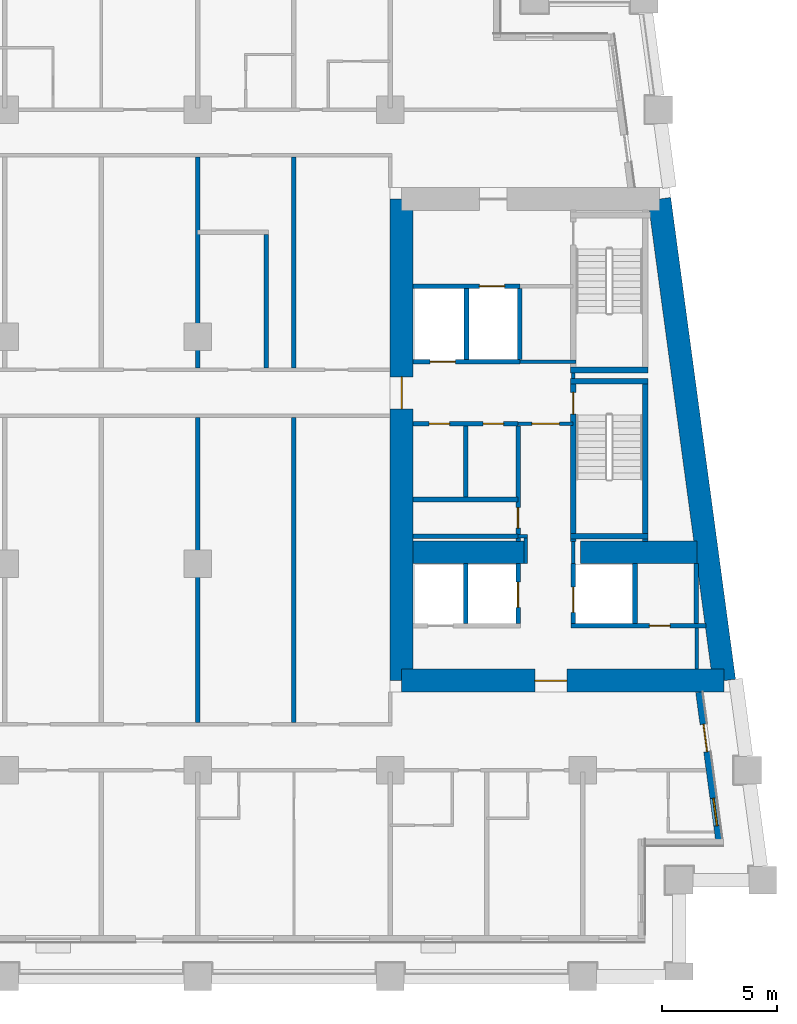
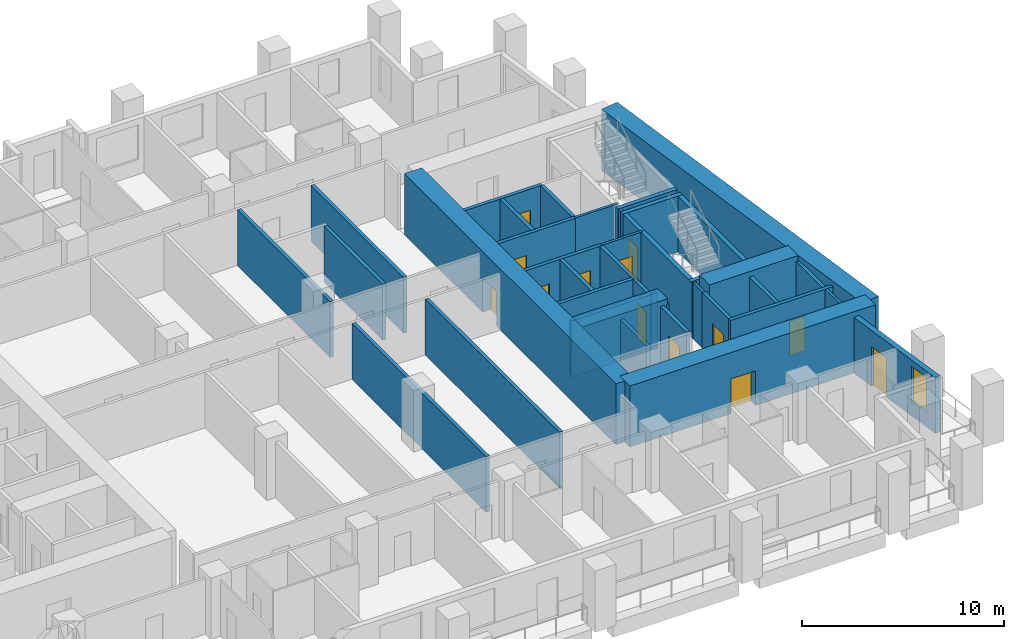
# One storey, part 5 of 13: 38 walls, 13 doors, 1 window, 14 openings.
"""IFC4 building model written with IfcOpenShell, lengths in metres."""

from ifc_helpers import new_model, si_unit, direction, frame, frame_2d, origin, place, context, subcontext, project, spatial, rectangle, extrude, material, layer, layer_set, type_object, element, fill, save


model = new_model("IFC4")

# Units and contexts
model_context = context("Model", 3, precision=1e-05, world=origin(), true_north=direction((0.0, 1.0)))
body_context = subcontext(model_context, "Body", "Model", "MODEL_VIEW")
ifc_project = project(units=[si_unit("LENGTHUNIT", "METRE"), si_unit("AREAUNIT", "SQUARE_METRE"), si_unit("VOLUMEUNIT", "CUBIC_METRE"), si_unit("PLANEANGLEUNIT", "RADIAN"), si_unit("MASSUNIT", "GRAM", prefix="KILO")], contexts=[model_context])

# Site, building, storey
site_placement = place(None, origin())
site = spatial("IfcSite", under=ifc_project, at=site_placement, CompositionType="ELEMENT")
building_placement = place(site_placement, origin())
building = spatial("IfcBuilding", under=site, at=building_placement, Name="Candeia Pilgrim Tower and Theatre", CompositionType="ELEMENT")
storey_placement = place(building_placement, frame((0.0, 0.0, 113.199951171875)))
storey = spatial("IfcBuildingStorey", under=building, at=storey_placement, Name="L26", CompositionType="ELEMENT", Elevation=113.199951171875)

# Wall
ifc_material_1 = material(Name="Concrete C70/85", Category="concrete")
ifc_layer_1 = layer(ifc_material_1, 1.0)
ifc_layer_set_1 = layer_set([ifc_layer_1], Name="Core wall 1000 C70/85")
wall_type_1 = type_object("IfcWallType", Name="Core wall 1000 C70/85", PredefinedType="SHEAR", material=ifc_layer_set_1)
wall_1_placement = place(storey_placement, frame((137.73193359375, 131.89990234375, 0.0), z_axis=(0.0, 0.0, 1.0), x_axis=(0.133411141623, -0.991060778808, 0.0)))
element("IfcWall", 1, at=wall_1_placement, inside=storey, type_object=wall_type_1, Name="Core wall E2", PredefinedType="SHEAR", context=body_context, shape_type="SweptSolid", body=[
    extrude(rectangle(XDim=21.189453125, YDim=1.0, at=frame_2d((10.5947265625, 0.0))), origin(), (0.0, 0.0, 1.0), 3.699951171875),
])

# Wall, opening, door
wall_2_placement = place(storey_placement, frame((140.558837890625, 110.89990234375, 0.0), z_axis=(0.0, 0.0, 1.0), x_axis=(-1.0, 0.0, 0.0)))
wall_2 = element("IfcWall", 2, at=wall_2_placement, inside=storey, type_object=wall_type_1, Name="Core wall E3", PredefinedType="SHEAR", context=body_context, shape_type="SweptSolid", body=[
    extrude(rectangle(XDim=14.058837890625, YDim=1.0, at=frame_2d((7.029296875, 0.0))), origin(), (0.0, 0.0, 1.0), 3.699951171875),
])
opening_1_placement = place(wall_2_placement, frame((6.857666015625, 0.0, 0.0)))
opening_1 = element("IfcOpeningElement", 3, at=opening_1_placement, cuts=wall_2, Name="Opening L26-D062", PredefinedType="OPENING", context=body_context, shape_type="SweptSolid", body=[
    extrude(rectangle(XDim=1.39990234375, YDim=2.10009765625, at=frame_2d((0.699951171875, 1.050048828125))), frame((0.0, 0.510009765625, 0.0), z_axis=(0.0, -1.0, 0.0), x_axis=(1.0, 0.0, 0.0)), (0.0, 0.0, 1.0), 1.02001953125),
])
ifc_material_2 = material(Name="Steel fire door set", Category="steel")
door_type_1 = type_object("IfcDoorType", Name="D-1400-FD60", OperationType="NOTDEFINED", PredefinedType="DOOR", material=ifc_material_2)
door_1_placement = place(opening_1_placement, origin())
door_1 = element("IfcDoor", 4, at=door_1_placement, inside=storey, type_object=door_type_1, Name="Door L26-D062", OperationType="SINGLE_SWING_RIGHT", OverallHeight=2.10009765625, OverallWidth=1.39990234375, PredefinedType="DOOR", context=body_context, shape_type="SweptSolid", body=[
    extrude(rectangle(XDim=1.39990234375, YDim=2.10009765625, at=frame_2d((0.699951171875, 1.050048828125))), frame((0.0, 0.02490234375, 0.0), z_axis=(0.0, -1.0, 0.0), x_axis=(1.0, 0.0, 0.0)), (0.0, 0.0, 1.0), 0.050048828125),
])
fill(opening_1, door_1)

wall_3_placement = place(storey_placement, frame((126.5, 110.89990234375, 0.0), z_axis=(0.0, 0.0, 1.0), x_axis=(0.0, 1.0, 0.0)))
wall_3 = element("IfcWall", 5, at=wall_3_placement, inside=storey, type_object=wall_type_1, Name="Core wall E4", PredefinedType="SHEAR", context=body_context, shape_type="SweptSolid", body=[
    extrude(rectangle(XDim=21.0, YDim=1.0, at=frame_2d((10.5, 0.0))), origin(), (0.0, 0.0, 1.0), 3.699951171875),
])
opening_2_placement = place(wall_3_placement, frame((11.85009765625, 0.0, 0.0)))
opening_2 = element("IfcOpeningElement", 6, at=opening_2_placement, cuts=wall_3, Name="Opening L26-D064", PredefinedType="OPENING", context=body_context, shape_type="SweptSolid", body=[
    extrude(rectangle(XDim=1.39990234375, YDim=2.10009765625, at=frame_2d((0.699951171875, 1.050048828125))), frame((0.0, 0.510009765625, 0.0), z_axis=(0.0, -1.0, 0.0), x_axis=(1.0, 0.0, 0.0)), (0.0, 0.0, 1.0), 1.02001953125),
])
door_2_placement = place(opening_2_placement, origin())
door_2 = element("IfcDoor", 7, at=door_2_placement, inside=storey, type_object=door_type_1, Name="Door L26-D064", OperationType="SINGLE_SWING_RIGHT", OverallHeight=2.10009765625, OverallWidth=1.39990234375, PredefinedType="DOOR", context=body_context, shape_type="SweptSolid", body=[
    extrude(rectangle(XDim=1.39990234375, YDim=2.10009765625, at=frame_2d((0.699951171875, 1.050048828125))), frame((0.0, 0.02490234375, 0.0), z_axis=(0.0, -1.0, 0.0), x_axis=(1.0, 0.0, 0.0)), (0.0, 0.0, 1.0), 0.050048828125),
])
fill(opening_2, door_2)

# Walls
wall_4_placement = place(storey_placement, frame((127.0, 116.5, 0.0), z_axis=(0.0, 0.0, 1.0), x_axis=(1.0, 0.0, 0.0)))
element("IfcWall", 8, at=wall_4_placement, inside=storey, type_object=wall_type_1, Name="Core wall E5", PredefinedType="SHEAR", context=body_context, shape_type="SweptSolid", body=[
    extrude(rectangle(XDim=4.89990234375, YDim=1.0, at=frame_2d((2.449951171875, 0.0))), origin(), (0.0, 0.0, 1.0), 3.699951171875),
])
wall_5_placement = place(storey_placement, frame((134.300048828125, 116.5, 0.0), z_axis=(0.0, 0.0, 1.0), x_axis=(1.0, 0.0, 0.0)))
element("IfcWall", 9, at=wall_5_placement, inside=storey, type_object=wall_type_1, Name="Core wall E6", PredefinedType="SHEAR", context=body_context, shape_type="SweptSolid", body=[
    extrude(rectangle(XDim=5.076904296875, YDim=1.0, at=frame_2d((2.53857421875, 0.0))), origin(), (0.0, 0.0, 1.0), 3.699951171875),
])

# Wall, openings, door, window
ifc_material_3 = material(Name="Ceramic block masonry", Category="masonry")
ifc_layer_2 = layer(ifc_material_3, 0.300048828125)
ifc_layer_set_2 = layer_set([ifc_layer_2], Name="EW1 glazing-line wall 300")
wall_type_2 = type_object("IfcWallType", Name="EW1 glazing-line wall 300", PredefinedType="SOLIDWALL", material=ifc_layer_set_2)
wall_6_placement = place(storey_placement, frame((140.34765625, 103.85009765625, 0.0), z_axis=(0.0, 0.0, 1.0), x_axis=(-0.133431549479, 0.991058031401, 0.0)))
wall_6 = element("IfcWall", 10, at=wall_6_placement, inside=storey, type_object=wall_type_2, Name="External wall L26-3.0", PredefinedType="SOLIDWALL", context=body_context, shape_type="SweptSolid", body=[
    extrude(rectangle(XDim=6.60888671875, YDim=0.300048828125, at=frame_2d((3.304443359375, 0.0))), origin(), (0.0, 0.0, 1.0), 3.380126953125),
])
opening_3_placement = place(wall_6_placement, frame((0.736572265625, 0.0, 0.89990234375)))
opening_3 = element("IfcOpeningElement", 11, at=opening_3_placement, cuts=wall_6, Name="Opening W-B", PredefinedType="OPENING", context=body_context, shape_type="SweptSolid", body=[
    extrude(rectangle(XDim=1.199951171875, YDim=2.10009765625, at=frame_2d((0.60009765625, 1.050048828125))), frame((0.0, 0.16015625, 0.0), z_axis=(0.0, -1.0, 0.0), x_axis=(1.0, 0.0, 0.0)), (0.0, 0.0, 1.0), 0.320068359375),
])
opening_4_placement = place(wall_6_placement, frame((3.990966796875, 0.0, 0.0)))
opening_4 = element("IfcOpeningElement", 12, at=opening_4_placement, cuts=wall_6, Name="Opening L26-ED264", PredefinedType="OPENING", context=body_context, shape_type="SweptSolid", body=[
    extrude(rectangle(XDim=1.199951171875, YDim=2.39990234375, at=frame_2d((0.60009765625, 1.199951171875))), frame((0.0, 0.16015625, 0.0), z_axis=(0.0, -1.0, 0.0), x_axis=(1.0, 0.0, 0.0)), (0.0, 0.0, 1.0), 0.320068359375),
])
ifc_material_4 = material(Name="Aluminium framed glazed door", Category="aluminium")
door_type_2 = type_object("IfcDoorType", Name="Loggia door 1200x2400", OperationType="DOUBLE_DOOR_SINGLE_SWING", PredefinedType="DOOR", material=ifc_material_4)
door_3_placement = place(opening_4_placement, origin())
door_3 = element("IfcDoor", 13, at=door_3_placement, inside=storey, type_object=door_type_2, Name="Loggia door L26-ED264", OperationType="DOUBLE_DOOR_SINGLE_SWING", OverallHeight=2.39990234375, OverallWidth=1.199951171875, PredefinedType="DOOR", context=body_context, shape_type="SweptSolid", body=[
    extrude(rectangle(XDim=1.199951171875, YDim=2.39990234375, at=frame_2d((0.60009765625, 1.199951171875))), frame((0.0, 0.02490234375, 0.0), z_axis=(0.0, -1.0, 0.0), x_axis=(1.0, 0.0, 0.0)), (0.0, 0.0, 1.0), 0.050048828125),
])
fill(opening_4, door_3)
ifc_material_5 = material(Name="Aluminium framed double glazing", Category="aluminium")
window_type = type_object("IfcWindowType", Name="W-B window 1200x2100", PartitioningType="SINGLE_PANEL", PredefinedType="WINDOW", material=ifc_material_5)
window_placement = place(opening_3_placement, origin())
window = element("IfcWindow", 14, at=window_placement, inside=storey, type_object=window_type, Name="Window W-B L26", OverallHeight=2.10009765625, OverallWidth=1.199951171875, PartitioningType="SINGLE_PANEL", PredefinedType="WINDOW", context=body_context, shape_type="SweptSolid", body=[
    extrude(rectangle(XDim=1.199951171875, YDim=2.10009765625, at=frame_2d((0.60009765625, 1.050048828125))), frame((0.0, 0.030029296875, 0.0), z_axis=(0.0, -1.0, 0.0), x_axis=(1.0, 0.0, 0.0)), (0.0, 0.0, 1.0), 0.06005859375),
])
fill(opening_3, window)

# Wall
ifc_material_6 = material(Name="Gypsum board partition on steel studs", Category="steel")
ifc_layer_3 = layer(ifc_material_6, 0.14990234375)
ifc_layer_set_3 = layer_set([ifc_layer_3], Name="PW-150 lobby wall")
wall_type_3 = type_object("IfcWallType", Name="PW-150 lobby wall", PredefinedType="PARTITIONING", material=ifc_layer_set_3)
wall_7_placement = place(storey_placement, frame((131.572998046875, 117.199951171875, 0.0), z_axis=(0.0, 0.0, 1.0), x_axis=(1.0, 0.0, 0.0)))
element("IfcWall", 15, at=wall_7_placement, inside=storey, type_object=wall_type_3, Name="Lobby wall L26-016", PredefinedType="PARTITIONING", context=body_context, shape_type="SweptSolid", body=[
    extrude(rectangle(XDim=0.402099609375, YDim=0.14990234375, at=frame_2d((0.201171875, 0.0))), origin(), (0.0, 0.0, 1.0), 3.380126953125),
])

# Wall, opening, door
wall_8_placement = place(storey_placement, frame((131.572998046875, 122.10009765625, 0.0), z_axis=(0.0, 0.0, 1.0), x_axis=(1.0, 0.0, 0.0)))
wall_8 = element("IfcWall", 16, at=wall_8_placement, inside=storey, type_object=wall_type_3, Name="Lobby wall L26-024", PredefinedType="PARTITIONING", context=body_context, shape_type="SweptSolid", body=[
    extrude(rectangle(XDim=2.39990234375, YDim=0.14990234375, at=frame_2d((1.199951171875, 0.0))), origin(), (0.0, 0.0, 1.0), 3.380126953125),
])
opening_5_placement = place(wall_8_placement, frame((0.60009765625, 0.0, 0.0)))
opening_5 = element("IfcOpeningElement", 17, at=opening_5_placement, cuts=wall_8, Name="Opening L26-D010", PredefinedType="OPENING", context=body_context, shape_type="SweptSolid", body=[
    extrude(rectangle(XDim=1.199951171875, YDim=2.10009765625, at=frame_2d((0.60009765625, 1.050048828125))), frame((0.0, 0.0849609375, 0.0), z_axis=(0.0, -1.0, 0.0), x_axis=(1.0, 0.0, 0.0)), (0.0, 0.0, 1.0), 0.169921875),
])
door_type_3 = type_object("IfcDoorType", Name="D-1200-FD60", OperationType="NOTDEFINED", PredefinedType="DOOR", material=ifc_material_2)
door_4_placement = place(opening_5_placement, origin())
door_4 = element("IfcDoor", 18, at=door_4_placement, inside=storey, type_object=door_type_3, Name="Door L26-D010", OperationType="SINGLE_SWING_LEFT", OverallHeight=2.10009765625, OverallWidth=1.199951171875, PredefinedType="DOOR", context=body_context, shape_type="SweptSolid", body=[
    extrude(rectangle(XDim=1.199951171875, YDim=2.10009765625, at=frame_2d((0.60009765625, 1.050048828125))), frame((0.0, 0.02490234375, 0.0), z_axis=(0.0, -1.0, 0.0), x_axis=(1.0, 0.0, 0.0)), (0.0, 0.0, 1.0), 0.050048828125),
])
fill(opening_5, door_4)

# Walls
wall_9_placement = place(storey_placement, frame((131.648681640625, 124.800048828125, 0.0), z_axis=(0.0, 0.0, 1.0), x_axis=(1.0, 0.0, 0.0)))
element("IfcWall", 19, at=wall_9_placement, inside=storey, type_object=wall_type_3, Name="Lobby wall L26-033", PredefinedType="PARTITIONING", context=body_context, shape_type="SweptSolid", body=[
    extrude(rectangle(XDim=2.44921875, YDim=0.14990234375, at=frame_2d((1.224609375, 0.0))), origin(), (0.0, 0.0, 1.0), 3.380126953125),
])
wall_10_placement = place(storey_placement, frame((131.89990234375, 116.0, 0.0), z_axis=(0.0, 0.0, 1.0), x_axis=(0.0, 1.0, 0.0)))
element("IfcWall", 20, at=wall_10_placement, inside=storey, type_object=wall_type_3, Name="Lobby wall L26-108", PredefinedType="PARTITIONING", context=body_context, shape_type="SweptSolid", body=[
    extrude(rectangle(XDim=1.125, YDim=0.14990234375, at=frame_2d((0.5625, 0.0))), origin(), (0.0, 0.0, 1.0), 3.380126953125),
])
wall_11_placement = place(storey_placement, frame((133.972900390625, 116.0, 0.0), z_axis=(0.0, 0.0, 1.0), x_axis=(0.0, 1.0, 0.0)))
element("IfcWall", 21, at=wall_11_placement, inside=storey, type_object=wall_type_3, Name="Lobby wall L26-111", PredefinedType="PARTITIONING", context=body_context, shape_type="SweptSolid", body=[
    extrude(rectangle(XDim=0.969970703125, YDim=0.14990234375, at=frame_2d((0.48486328125, 0.0))), origin(), (0.0, 0.0, 1.0), 3.380126953125),
])
wall_12_placement = place(storey_placement, frame((133.972900390625, 124.074951171875, 0.0), z_axis=(0.0, 0.0, 1.0), x_axis=(0.0, 1.0, 0.0)))
element("IfcWall", 22, at=wall_12_placement, inside=storey, type_object=wall_type_3, Name="Lobby wall L26-112", PredefinedType="PARTITIONING", context=body_context, shape_type="SweptSolid", body=[
    extrude(rectangle(XDim=0.25, YDim=0.14990234375, at=frame_2d((0.125, 0.0))), origin(), (0.0, 0.0, 1.0), 3.380126953125),
])
wall_13_placement = place(storey_placement, frame((139.37109375, 111.39990234375, 0.0), z_axis=(0.0, 0.0, 1.0), x_axis=(0.0, 1.0, 0.0)))
element("IfcWall", 23, at=wall_13_placement, inside=storey, type_object=wall_type_3, Name="Lobby wall L26-121", PredefinedType="PARTITIONING", context=body_context, shape_type="SweptSolid", body=[
    extrude(rectangle(XDim=1.800048828125, YDim=0.14990234375, at=frame_2d((0.89990234375, 0.0))), origin(), (0.0, 0.0, 1.0), 3.380126953125),
])
ifc_layer_4 = layer(ifc_material_6, 0.199951171875)
ifc_layer_set_4 = layer_set([ifc_layer_4], Name="PW-200 party wall")
wall_type_4 = type_object("IfcWallType", Name="PW-200 party wall", PredefinedType="PARTITIONING", material=ifc_layer_set_4)
wall_14_placement = place(storey_placement, frame((117.60009765625, 109.074951171875, 0.0), z_axis=(0.0, 0.0, 1.0), x_axis=(0.0, 1.0, 0.0)))
element("IfcWall", 24, at=wall_14_placement, inside=storey, type_object=wall_type_4, Name="Party wall L26-085", PredefinedType="PARTITIONING", context=body_context, shape_type="SweptSolid", body=[
    extrude(rectangle(XDim=13.300048828125, YDim=0.199951171875, at=frame_2d((6.64990234375, 0.0))), origin(), (0.0, 0.0, 1.0), 3.380126953125),
])
wall_15_placement = place(storey_placement, frame((117.60009765625, 124.52490234375, 0.0), z_axis=(0.0, 0.0, 1.0), x_axis=(0.0, 1.0, 0.0)))
element("IfcWall", 25, at=wall_15_placement, inside=storey, type_object=wall_type_4, Name="Party wall L26-086", PredefinedType="PARTITIONING", context=body_context, shape_type="SweptSolid", body=[
    extrude(rectangle(XDim=9.2001953125, YDim=0.199951171875, at=frame_2d((4.60009765625, 0.0))), origin(), (0.0, 0.0, 1.0), 3.380126953125),
])
wall_16_placement = place(storey_placement, frame((120.60009765625, 124.52490234375, 0.0), z_axis=(0.0, 0.0, 1.0), x_axis=(0.0, 1.0, 0.0)))
element("IfcWall", 26, at=wall_16_placement, inside=storey, type_object=wall_type_4, Name="Party wall L26-090", PredefinedType="PARTITIONING", context=body_context, shape_type="SweptSolid", body=[
    extrude(rectangle(XDim=5.8251953125, YDim=0.199951171875, at=frame_2d((2.91259765625, 0.0))), origin(), (0.0, 0.0, 1.0), 3.380126953125),
])
wall_17_placement = place(storey_placement, frame((121.800048828125, 109.074951171875, 0.0), z_axis=(0.0, 0.0, 1.0), x_axis=(0.0, 1.0, 0.0)))
element("IfcWall", 27, at=wall_17_placement, inside=storey, type_object=wall_type_4, Name="Party wall L26-092", PredefinedType="PARTITIONING", context=body_context, shape_type="SweptSolid", body=[
    extrude(rectangle(XDim=13.300048828125, YDim=0.199951171875, at=frame_2d((6.64990234375, 0.0))), origin(), (0.0, 0.0, 1.0), 3.380126953125),
])
wall_18_placement = place(storey_placement, frame((121.800048828125, 124.52490234375, 0.0), z_axis=(0.0, 0.0, 1.0), x_axis=(0.0, 1.0, 0.0)))
element("IfcWall", 28, at=wall_18_placement, inside=storey, type_object=wall_type_4, Name="Party wall L26-093", PredefinedType="PARTITIONING", context=body_context, shape_type="SweptSolid", body=[
    extrude(rectangle(XDim=9.2001953125, YDim=0.199951171875, at=frame_2d((4.60009765625, 0.0))), origin(), (0.0, 0.0, 1.0), 3.380126953125),
])

# Wall, opening, door
ifc_material_7 = material(Name="Concrete C40/50", Category="concrete")
ifc_layer_5 = layer(ifc_material_7, 0.199951171875)
ifc_layer_set_5 = layer_set([ifc_layer_5], Name="SW-200 shaft wall")
wall_type_5 = type_object("IfcWallType", Name="SW-200 shaft wall", PredefinedType="PARTITIONING", material=ifc_layer_set_5)
wall_19_placement = place(storey_placement, frame((133.873046875, 113.300048828125, 0.0), z_axis=(0.0, 0.0, 1.0), x_axis=(1.0, 0.0, 0.0)))
wall_19 = element("IfcWall", 29, at=wall_19_placement, inside=storey, type_object=wall_type_5, Name="Shaft wall L26-012", PredefinedType="PARTITIONING", context=body_context, shape_type="SweptSolid", body=[
    extrude(rectangle(XDim=5.888427734375, YDim=0.199951171875, at=frame_2d((2.9443359375, 0.0))), origin(), (0.0, 0.0, 1.0), 3.380126953125),
])
opening_6_placement = place(wall_19_placement, frame((3.424072265625, 0.0, 0.0)))
opening_6 = element("IfcOpeningElement", 30, at=opening_6_placement, cuts=wall_19, Name="Opening L26-D016", PredefinedType="OPENING", context=body_context, shape_type="SweptSolid", body=[
    extrude(rectangle(XDim=0.89990234375, YDim=2.10009765625, at=frame_2d((0.449951171875, 1.050048828125))), frame((0.0, 0.10986328125, 0.0), z_axis=(0.0, -1.0, 0.0), x_axis=(1.0, 0.0, 0.0)), (0.0, 0.0, 1.0), 0.219970703125),
])
door_type_4 = type_object("IfcDoorType", Name="D-900-FD60", OperationType="NOTDEFINED", PredefinedType="DOOR", material=ifc_material_2)
door_5_placement = place(opening_6_placement, origin())
door_5 = element("IfcDoor", 31, at=door_5_placement, inside=storey, type_object=door_type_4, Name="Door L26-D016", OperationType="SINGLE_SWING_RIGHT", OverallHeight=2.10009765625, OverallWidth=0.89990234375, PredefinedType="DOOR", context=body_context, shape_type="SweptSolid", body=[
    extrude(rectangle(XDim=0.89990234375, YDim=2.10009765625, at=frame_2d((0.449951171875, 1.050048828125))), frame((0.0, 0.02490234375, 0.0), z_axis=(0.0, -1.0, 0.0), x_axis=(1.0, 0.0, 0.0)), (0.0, 0.0, 1.0), 0.050048828125),
])
fill(opening_6, door_5)

# Walls
for number, where, z_axis, x_axis, name in (
    (32, (127.0, 117.199951171875, 0.0), (0.0, 0.0, 1.0), (1.0, 0.0, 0.0), "Shaft wall L26-014"),
    (33, (127.0, 118.800048828125, 0.0), (0.0, 0.0, 1.0), (1.0, 0.0, 0.0), "Shaft wall L26-020"),
):
    element("IfcWall", number, at=place(storey_placement, frame(where, z_axis=z_axis, x_axis=x_axis)), inside=storey, type_object=wall_type_5, Name=name, PredefinedType="PARTITIONING", context=body_context, shape_type="SweptSolid", body=[
        extrude(rectangle(XDim=4.572998046875, YDim=0.199951171875, at=frame_2d((2.28662109375, 0.0))), origin(), (0.0, 0.0, 1.0), 3.380126953125),
    ])

# Wall, openings, doors
wall_20_placement = place(storey_placement, frame((127.0, 122.10009765625, 0.0), z_axis=(0.0, 0.0, 1.0), x_axis=(1.0, 0.0, 0.0)))
wall_20 = element("IfcWall", 34, at=wall_20_placement, inside=storey, type_object=wall_type_5, Name="Shaft wall L26-022", PredefinedType="PARTITIONING", context=body_context, shape_type="SweptSolid", body=[
    extrude(rectangle(XDim=4.572998046875, YDim=0.199951171875, at=frame_2d((2.28662109375, 0.0))), origin(), (0.0, 0.0, 1.0), 3.380126953125),
])
opening_7_placement = place(wall_20_placement, frame((3.048095703125, 0.0, 0.0)))
opening_7 = element("IfcOpeningElement", 35, at=opening_7_placement, cuts=wall_20, Name="Opening L26-D011", PredefinedType="OPENING", context=body_context, shape_type="SweptSolid", body=[
    extrude(rectangle(XDim=0.89990234375, YDim=2.10009765625, at=frame_2d((0.449951171875, 1.050048828125))), frame((0.0, 0.10986328125, 0.0), z_axis=(0.0, -1.0, 0.0), x_axis=(1.0, 0.0, 0.0)), (0.0, 0.0, 1.0), 0.219970703125),
])
opening_8_placement = place(wall_20_placement, frame((0.693115234375, 0.0, 0.0)))
opening_8 = element("IfcOpeningElement", 36, at=opening_8_placement, cuts=wall_20, Name="Opening L26-D012", PredefinedType="OPENING", context=body_context, shape_type="SweptSolid", body=[
    extrude(rectangle(XDim=0.89990234375, YDim=2.10009765625, at=frame_2d((0.449951171875, 1.050048828125))), frame((0.0, 0.10986328125, 0.0), z_axis=(0.0, -1.0, 0.0), x_axis=(1.0, 0.0, 0.0)), (0.0, 0.0, 1.0), 0.219970703125),
])
door_6_placement = place(opening_7_placement, origin())
door_6 = element("IfcDoor", 37, at=door_6_placement, inside=storey, type_object=door_type_4, Name="Door L26-D011", OperationType="SINGLE_SWING_RIGHT", OverallHeight=2.10009765625, OverallWidth=0.89990234375, PredefinedType="DOOR", context=body_context, shape_type="SweptSolid", body=[
    extrude(rectangle(XDim=0.89990234375, YDim=2.10009765625, at=frame_2d((0.449951171875, 1.050048828125))), frame((0.0, 0.02490234375, 0.0), z_axis=(0.0, -1.0, 0.0), x_axis=(1.0, 0.0, 0.0)), (0.0, 0.0, 1.0), 0.050048828125),
])
fill(opening_7, door_6)
door_7_placement = place(opening_8_placement, origin())
door_7 = element("IfcDoor", 38, at=door_7_placement, inside=storey, type_object=door_type_4, Name="Door L26-D012", OperationType="SINGLE_SWING_LEFT", OverallHeight=2.10009765625, OverallWidth=0.89990234375, PredefinedType="DOOR", context=body_context, shape_type="SweptSolid", body=[
    extrude(rectangle(XDim=0.89990234375, YDim=2.10009765625, at=frame_2d((0.449951171875, 1.050048828125))), frame((0.0, 0.02490234375, 0.0), z_axis=(0.0, -1.0, 0.0), x_axis=(1.0, 0.0, 0.0)), (0.0, 0.0, 1.0), 0.050048828125),
])
fill(opening_8, door_7)

# Wall, opening, door
wall_21_placement = place(storey_placement, frame((127.0, 124.800048828125, 0.0), z_axis=(0.0, 0.0, 1.0), x_axis=(1.0, 0.0, 0.0)))
wall_21 = element("IfcWall", 39, at=wall_21_placement, inside=storey, type_object=wall_type_5, Name="Shaft wall L26-032", PredefinedType="PARTITIONING", context=body_context, shape_type="SweptSolid", body=[
    extrude(rectangle(XDim=4.648681640625, YDim=0.199951171875, at=frame_2d((2.32421875, 0.0))), origin(), (0.0, 0.0, 1.0), 3.380126953125),
])
opening_9_placement = place(wall_21_placement, frame((0.742919921875, 0.0, 0.0)))
opening_9 = element("IfcOpeningElement", 40, at=opening_9_placement, cuts=wall_21, Name="Opening L26-LD05", PredefinedType="OPENING", context=body_context, shape_type="SweptSolid", body=[
    extrude(rectangle(XDim=1.10009765625, YDim=2.10009765625, at=frame_2d((0.550048828125, 1.050048828125))), frame((0.0, 0.10986328125, 0.0), z_axis=(0.0, -1.0, 0.0), x_axis=(1.0, 0.0, 0.0)), (0.0, 0.0, 1.0), 0.219970703125),
])
ifc_material_8 = material(Name="Glazed aluminium landing door", Category="aluminium")
door_type_5 = type_object("IfcDoorType", Name="LD-1100-EI120", OperationType="SLIDING_TO_LEFT", PredefinedType="DOOR", material=ifc_material_8)
door_8_placement = place(opening_9_placement, origin())
door_8 = element("IfcDoor", 41, at=door_8_placement, inside=storey, type_object=door_type_5, Name="Landing door 05 L26", OperationType="SLIDING_TO_LEFT", OverallHeight=2.10009765625, OverallWidth=1.10009765625, PredefinedType="DOOR", context=body_context, shape_type="SweptSolid", body=[
    extrude(rectangle(XDim=1.10009765625, YDim=2.10009765625, at=frame_2d((0.550048828125, 1.050048828125))), frame((0.0, 0.02490234375, 0.0), z_axis=(0.0, -1.0, 0.0), x_axis=(1.0, 0.0, 0.0)), (0.0, 0.0, 1.0), 0.050048828125),
])
fill(opening_9, door_8)

wall_22_placement = place(storey_placement, frame((127.0, 128.10009765625, 0.0), z_axis=(0.0, 0.0, 1.0), x_axis=(1.0, 0.0, 0.0)))
wall_22 = element("IfcWall", 42, at=wall_22_placement, inside=storey, type_object=wall_type_5, Name="Shaft wall L26-035", PredefinedType="PARTITIONING", context=body_context, shape_type="SweptSolid", body=[
    extrude(rectangle(XDim=4.648681640625, YDim=0.199951171875, at=frame_2d((2.32421875, 0.0))), origin(), (0.0, 0.0, 1.0), 3.380126953125),
])
opening_10_placement = place(wall_22_placement, frame((2.884033203125, 0.0, 0.0)))
opening_10 = element("IfcOpeningElement", 43, at=opening_10_placement, cuts=wall_22, Name="Opening L26-LD04", PredefinedType="OPENING", context=body_context, shape_type="SweptSolid", body=[
    extrude(rectangle(XDim=1.10009765625, YDim=2.10009765625, at=frame_2d((0.550048828125, 1.050048828125))), frame((0.0, 0.10986328125, 0.0), z_axis=(0.0, -1.0, 0.0), x_axis=(1.0, 0.0, 0.0)), (0.0, 0.0, 1.0), 0.219970703125),
])
door_9_placement = place(opening_10_placement, origin())
door_9 = element("IfcDoor", 44, at=door_9_placement, inside=storey, type_object=door_type_5, Name="Landing door 04 L26", OperationType="SLIDING_TO_LEFT", OverallHeight=2.10009765625, OverallWidth=1.10009765625, PredefinedType="DOOR", context=body_context, shape_type="SweptSolid", body=[
    extrude(rectangle(XDim=1.10009765625, YDim=2.10009765625, at=frame_2d((0.550048828125, 1.050048828125))), frame((0.0, 0.02490234375, 0.0), z_axis=(0.0, -1.0, 0.0), x_axis=(1.0, 0.0, 0.0)), (0.0, 0.0, 1.0), 0.050048828125),
])
fill(opening_10, door_9)

# Walls
wall_23_placement = place(storey_placement, frame((129.28662109375, 113.39990234375, 0.0), z_axis=(0.0, 0.0, 1.0), x_axis=(0.0, 1.0, 0.0)))
element("IfcWall", 45, at=wall_23_placement, inside=storey, type_object=wall_type_5, Name="Shaft wall L26-101", PredefinedType="PARTITIONING", context=body_context, shape_type="SweptSolid", body=[
    extrude(rectangle(XDim=2.60009765625, YDim=0.199951171875, at=frame_2d((1.300048828125, 0.0))), origin(), (0.0, 0.0, 1.0), 3.380126953125),
])
for number, where, z_axis, x_axis, name in (
    (46, (129.28662109375, 118.89990234375, 0.0), (0.0, 0.0, 1.0), (0.0, 1.0, 0.0), "Shaft wall L26-102"),
    (47, (129.32421875, 124.89990234375, 0.0), (0.0, 0.0, 1.0), (0.0, 1.0, 0.0), "Shaft wall L26-103"),
):
    element("IfcWall", number, at=place(storey_placement, frame(where, z_axis=z_axis, x_axis=x_axis)), inside=storey, type_object=wall_type_5, Name=name, PredefinedType="PARTITIONING", context=body_context, shape_type="SweptSolid", body=[
        extrude(rectangle(XDim=3.10009765625, YDim=0.199951171875, at=frame_2d((1.550048828125, 0.0))), origin(), (0.0, 0.0, 1.0), 3.380126953125),
    ])

# Wall, opening, door
wall_24_placement = place(storey_placement, frame((131.572998046875, 113.39990234375, 0.0), z_axis=(0.0, 0.0, 1.0), x_axis=(0.0, 1.0, 0.0)))
wall_24 = element("IfcWall", 48, at=wall_24_placement, inside=storey, type_object=wall_type_5, Name="Shaft wall L26-105", PredefinedType="PARTITIONING", context=body_context, shape_type="SweptSolid", body=[
    extrude(rectangle(XDim=2.60009765625, YDim=0.199951171875, at=frame_2d((1.300048828125, 0.0))), origin(), (0.0, 0.0, 1.0), 3.380126953125),
])
opening_11_placement = place(wall_24_placement, frame((0.699951171875, 0.0, 0.0)))
opening_11 = element("IfcOpeningElement", 49, at=opening_11_placement, cuts=wall_24, Name="Opening L26-LD07", PredefinedType="OPENING", context=body_context, shape_type="SweptSolid", body=[
    extrude(rectangle(XDim=1.10009765625, YDim=2.10009765625, at=frame_2d((0.550048828125, 1.050048828125))), frame((0.0, 0.10986328125, 0.0), z_axis=(0.0, -1.0, 0.0), x_axis=(1.0, 0.0, 0.0)), (0.0, 0.0, 1.0), 0.219970703125),
])
door_10_placement = place(opening_11_placement, origin())
door_10 = element("IfcDoor", 50, at=door_10_placement, inside=storey, type_object=door_type_5, Name="Landing door 07 L26", OperationType="SLIDING_TO_LEFT", OverallHeight=2.10009765625, OverallWidth=1.10009765625, PredefinedType="DOOR", context=body_context, shape_type="SweptSolid", body=[
    extrude(rectangle(XDim=1.10009765625, YDim=2.10009765625, at=frame_2d((0.550048828125, 1.050048828125))), frame((0.0, 0.02490234375, 0.0), z_axis=(0.0, -1.0, 0.0), x_axis=(1.0, 0.0, 0.0)), (0.0, 0.0, 1.0), 0.050048828125),
])
fill(opening_11, door_10)

wall_25_placement = place(storey_placement, frame((131.572998046875, 116.969970703125, 0.0), z_axis=(0.0, 0.0, 1.0), x_axis=(0.0, 1.0, 0.0)))
wall_25 = element("IfcWall", 51, at=wall_25_placement, inside=storey, type_object=wall_type_5, Name="Shaft wall L26-106", PredefinedType="PARTITIONING", context=body_context, shape_type="SweptSolid", body=[
    extrude(rectangle(XDim=5.030029296875, YDim=0.199951171875, at=frame_2d((2.51513671875, 0.0))), origin(), (0.0, 0.0, 1.0), 3.380126953125),
])
opening_12_placement = place(wall_25_placement, frame((0.580078125, 0.0, 0.0)))
opening_12 = element("IfcOpeningElement", 52, at=opening_12_placement, cuts=wall_25, Name="Opening L26-D015", PredefinedType="OPENING", context=body_context, shape_type="SweptSolid", body=[
    extrude(rectangle(XDim=0.89990234375, YDim=2.10009765625, at=frame_2d((0.449951171875, 1.050048828125))), frame((0.0, 0.10986328125, 0.0), z_axis=(0.0, -1.0, 0.0), x_axis=(1.0, 0.0, 0.0)), (0.0, 0.0, 1.0), 0.219970703125),
])
door_11_placement = place(opening_12_placement, origin())
door_11 = element("IfcDoor", 53, at=door_11_placement, inside=storey, type_object=door_type_4, Name="Door L26-D015", OperationType="SINGLE_SWING_RIGHT", OverallHeight=2.10009765625, OverallWidth=0.89990234375, PredefinedType="DOOR", context=body_context, shape_type="SweptSolid", body=[
    extrude(rectangle(XDim=0.89990234375, YDim=2.10009765625, at=frame_2d((0.449951171875, 1.050048828125))), frame((0.0, 0.02490234375, 0.0), z_axis=(0.0, -1.0, 0.0), x_axis=(1.0, 0.0, 0.0)), (0.0, 0.0, 1.0), 0.050048828125),
])
fill(opening_12, door_11)

# Wall
wall_26_placement = place(storey_placement, frame((131.648681640625, 124.89990234375, 0.0), z_axis=(0.0, 0.0, 1.0), x_axis=(0.0, 1.0, 0.0)))
element("IfcWall", 54, at=wall_26_placement, inside=storey, type_object=wall_type_5, Name="Shaft wall L26-107", PredefinedType="PARTITIONING", context=body_context, shape_type="SweptSolid", body=[
    extrude(rectangle(XDim=3.10009765625, YDim=0.199951171875, at=frame_2d((1.550048828125, 0.0))), origin(), (0.0, 0.0, 1.0), 3.380126953125),
])

# Wall, opening, door
wall_27_placement = place(storey_placement, frame((133.972900390625, 113.39990234375, 0.0), z_axis=(0.0, 0.0, 1.0), x_axis=(0.0, 1.0, 0.0)))
wall_27 = element("IfcWall", 55, at=wall_27_placement, inside=storey, type_object=wall_type_5, Name="Shaft wall L26-110", PredefinedType="PARTITIONING", context=body_context, shape_type="SweptSolid", body=[
    extrude(rectangle(XDim=2.60009765625, YDim=0.199951171875, at=frame_2d((1.300048828125, 0.0))), origin(), (0.0, 0.0, 1.0), 3.380126953125),
])
opening_13_placement = place(wall_27_placement, frame((0.47509765625, 0.0, 0.0)))
opening_13 = element("IfcOpeningElement", 56, at=opening_13_placement, cuts=wall_27, Name="Opening L26-LD06", PredefinedType="OPENING", context=body_context, shape_type="SweptSolid", body=[
    extrude(rectangle(XDim=1.10009765625, YDim=2.10009765625, at=frame_2d((0.550048828125, 1.050048828125))), frame((0.0, 0.10986328125, 0.0), z_axis=(0.0, -1.0, 0.0), x_axis=(1.0, 0.0, 0.0)), (0.0, 0.0, 1.0), 0.219970703125),
])
door_12_placement = place(opening_13_placement, origin())
door_12 = element("IfcDoor", 57, at=door_12_placement, inside=storey, type_object=door_type_5, Name="Landing door 06 L26", OperationType="SLIDING_TO_LEFT", OverallHeight=2.10009765625, OverallWidth=1.10009765625, PredefinedType="DOOR", context=body_context, shape_type="SweptSolid", body=[
    extrude(rectangle(XDim=1.10009765625, YDim=2.10009765625, at=frame_2d((0.550048828125, 1.050048828125))), frame((0.0, 0.02490234375, 0.0), z_axis=(0.0, -1.0, 0.0), x_axis=(1.0, 0.0, 0.0)), (0.0, 0.0, 1.0), 0.050048828125),
])
fill(opening_13, door_12)

# Walls
for number, where, z_axis, x_axis, name in (
    (58, (136.672119140625, 113.39990234375, 0.0), (0.0, 0.0, 1.0), (0.0, 1.0, 0.0), "Shaft wall L26-116"),
    (59, (139.348876953125, 113.39990234375, 0.0), (0.0, 0.0, 1.0), (0.0, 1.0, 0.0), "Shaft wall L26-120"),
):
    element("IfcWall", number, at=place(storey_placement, frame(where, z_axis=z_axis, x_axis=x_axis)), inside=storey, type_object=wall_type_5, Name=name, PredefinedType="PARTITIONING", context=body_context, shape_type="SweptSolid", body=[
        extrude(rectangle(XDim=2.60009765625, YDim=0.199951171875, at=frame_2d((1.300048828125, 0.0))), origin(), (0.0, 0.0, 1.0), 3.380126953125),
    ])
ifc_layer_6 = layer(ifc_material_7, 0.25)
ifc_layer_set_6 = layer_set([ifc_layer_6], Name="SW-250 stair wall")
wall_type_6 = type_object("IfcWallType", Name="SW-250 stair wall", PredefinedType="PARTITIONING", material=ifc_layer_set_6)
for number, where, z_axis, x_axis, name in (
    (60, (133.847900390625, 117.199951171875, 0.0), (0.0, 0.0, 1.0), (1.0, 0.0, 0.0), "Stair wall L26-018"),
    (61, (133.847900390625, 123.949951171875, 0.0), (0.0, 0.0, 1.0), (1.0, 0.0, 0.0), "Stair wall L26-027"),
    (62, (133.847900390625, 124.449951171875, 0.0), (0.0, 0.0, 1.0), (1.0, 0.0, 0.0), "Stair wall L26-029"),
):
    element("IfcWall", number, at=place(storey_placement, frame(where, z_axis=z_axis, x_axis=x_axis)), inside=storey, type_object=wall_type_6, Name=name, PredefinedType="PARTITIONING", context=body_context, shape_type="SweptSolid", body=[
        extrude(rectangle(XDim=3.400146484375, YDim=0.25, at=frame_2d((1.7001953125, 0.0))), origin(), (0.0, 0.0, 1.0), 3.380126953125),
    ])

# Wall, opening, door
wall_28_placement = place(storey_placement, frame((133.972900390625, 116.969970703125, 0.0), z_axis=(0.0, 0.0, 1.0), x_axis=(0.0, 1.0, 0.0)))
wall_28 = element("IfcWall", 63, at=wall_28_placement, inside=storey, type_object=wall_type_6, Name="Stair wall L26-113", PredefinedType="PARTITIONING", context=body_context, shape_type="SweptSolid", body=[
    extrude(rectangle(XDim=6.85498046875, YDim=0.25, at=frame_2d((3.427490234375, 0.0))), origin(), (0.0, 0.0, 1.0), 3.380126953125),
])
opening_14_placement = place(wall_28_placement, frame((5.554931640625, 0.0, 0.0)))
opening_14 = element("IfcOpeningElement", 64, at=opening_14_placement, cuts=wall_28, Name="Opening L26-D013", PredefinedType="OPENING", context=body_context, shape_type="SweptSolid", body=[
    extrude(rectangle(XDim=0.949951171875, YDim=2.10009765625, at=frame_2d((0.47509765625, 1.050048828125))), frame((0.0, 0.135009765625, 0.0), z_axis=(0.0, -1.0, 0.0), x_axis=(1.0, 0.0, 0.0)), (0.0, 0.0, 1.0), 0.27001953125),
])
door_type_6 = type_object("IfcDoorType", Name="D-950-FD60", OperationType="NOTDEFINED", PredefinedType="DOOR", material=ifc_material_2)
door_13_placement = place(opening_14_placement, origin())
door_13 = element("IfcDoor", 65, at=door_13_placement, inside=storey, type_object=door_type_6, Name="Door L26-D013", OperationType="SINGLE_SWING_RIGHT", OverallHeight=2.10009765625, OverallWidth=0.949951171875, PredefinedType="DOOR", context=body_context, shape_type="SweptSolid", body=[
    extrude(rectangle(XDim=0.949951171875, YDim=2.10009765625, at=frame_2d((0.47509765625, 1.050048828125))), frame((0.0, 0.02490234375, 0.0), z_axis=(0.0, -1.0, 0.0), x_axis=(1.0, 0.0, 0.0)), (0.0, 0.0, 1.0), 0.050048828125),
])
fill(opening_14, door_13)

# Wall
wall_29_placement = place(storey_placement, frame((137.123046875, 116.969970703125, 0.0), z_axis=(0.0, 0.0, 1.0), x_axis=(0.0, 1.0, 0.0)))
element("IfcWall", 66, at=wall_29_placement, inside=storey, type_object=wall_type_6, Name="Stair wall L26-117", PredefinedType="PARTITIONING", context=body_context, shape_type="SweptSolid", body=[
    extrude(rectangle(XDim=6.85498046875, YDim=0.25, at=frame_2d((3.427490234375, 0.0))), origin(), (0.0, 0.0, 1.0), 3.380126953125),
])

save(model, "model.ifc")
